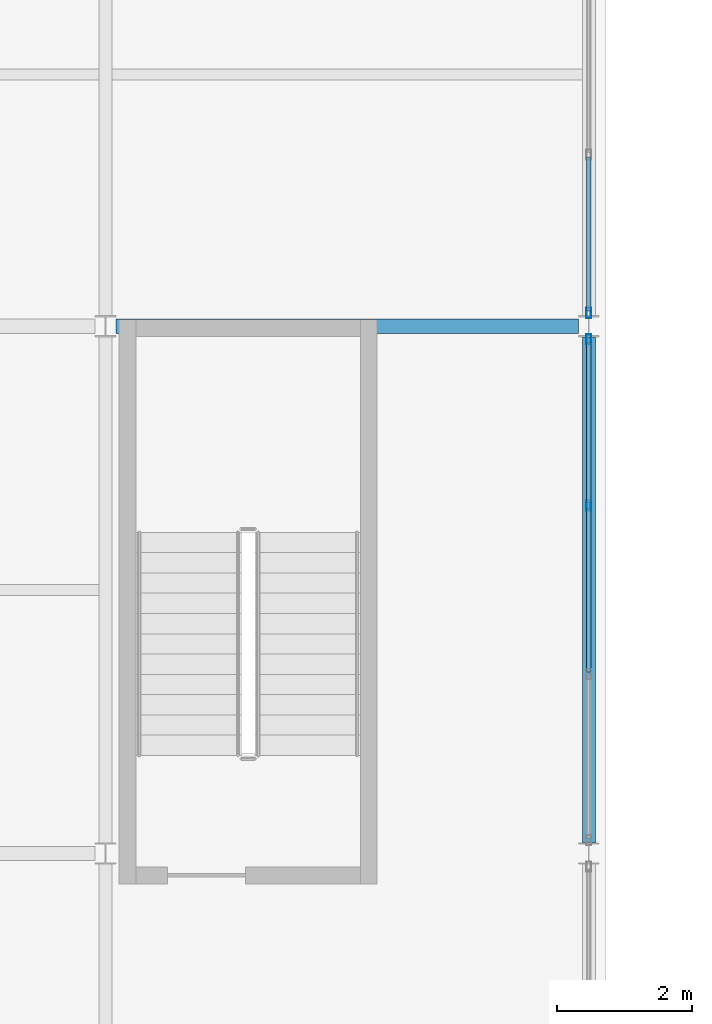
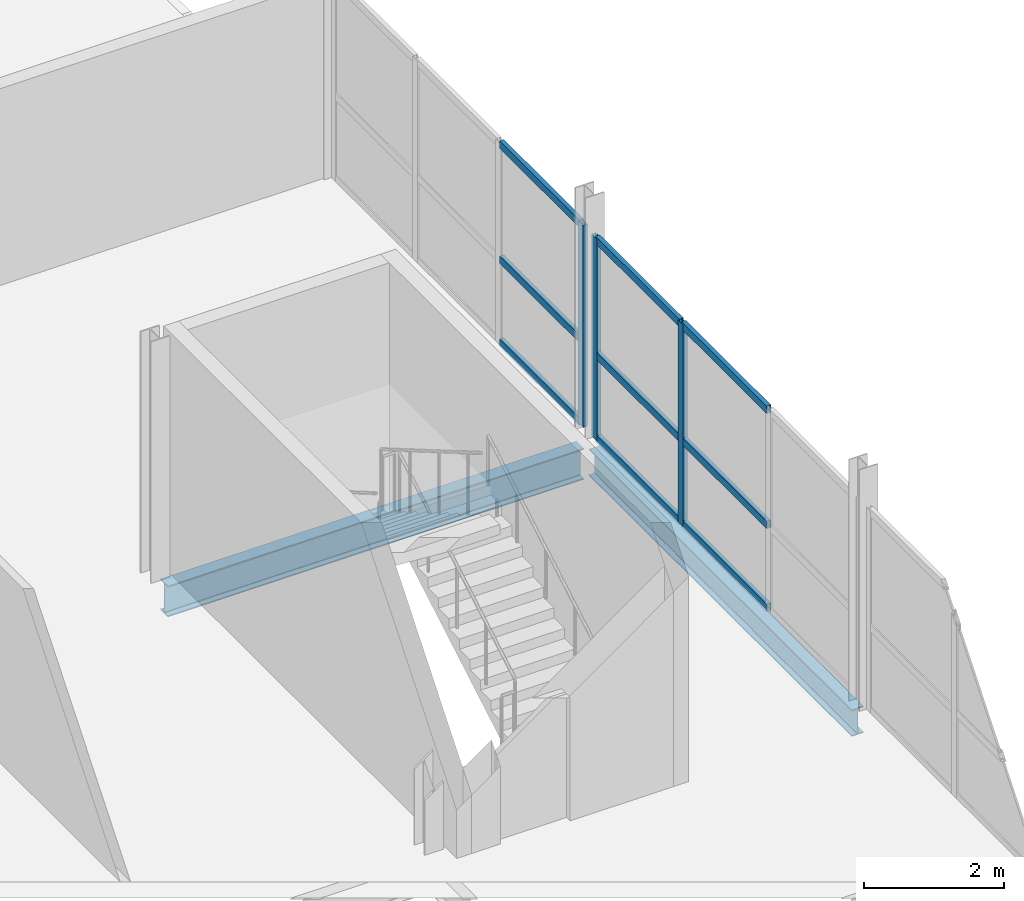
# One storey, part 11 of 65: 12 members, 2 beams, 2 elements without a shape of their own.
"""IFC4 building model written with IfcOpenShell, lengths in metres."""

from ifc_helpers import new_model, si_unit, direction, frame, origin, origin_2d, place, context, subcontext, project, spatial, hollow_rectangle, i_section, extrude, material, layer, layer_set, material_profile, profile_set, type_object, element, aggregate, save


model = new_model("IFC4")

# Units and contexts
model_context = context("Model", 3, precision=1e-05, world=origin(), true_north=direction((0.0, 1.0)))
body_context = subcontext(model_context, "Body", "Model", "MODEL_VIEW")
ifc_project = project(units=[si_unit("LENGTHUNIT", "METRE"), si_unit("AREAUNIT", "SQUARE_METRE"), si_unit("VOLUMEUNIT", "CUBIC_METRE"), si_unit("PLANEANGLEUNIT", "RADIAN"), si_unit("MASSUNIT", "GRAM", prefix="KILO")], contexts=[model_context])

# Site, building, storey
site_placement = place(None, origin())
site = spatial("IfcSite", under=ifc_project, at=site_placement, CompositionType="ELEMENT")
building_placement = place(site_placement, origin())
building = spatial("IfcBuilding", under=site, at=building_placement, Name="Quillay Park Conservatory", CompositionType="ELEMENT")
storey_placement = place(building_placement, frame((0.0, 0.0, 14.10009765625)))
storey = spatial("IfcBuildingStorey", under=building, at=storey_placement, Name="L03", CompositionType="ELEMENT", Elevation=14.10009765625)

# Curtain wall, members
ifc_material_1 = material(Name="Thermally Broken Anodised Aluminium 6063-T6", Category="aluminium")
ifc_layer = layer(ifc_material_1, 0.1650390625)
ifc_layer_set = layer_set([ifc_layer], Name="UNITISED CURTAIN WALL PODIUM (Thermally Broken Anodised Aluminium 6063-T6)")
curtain_wall_type = type_object("IfcCurtainWallType", Name="UNITISED CURTAIN WALL PODIUM", PredefinedType="USERDEFINED", material=ifc_layer_set)
curtain_wall_1_placement = place(storey_placement, origin())
curtain_wall_1 = element("IfcCurtainWall", 1, at=curtain_wall_1_placement, inside=storey, type_object=curtain_wall_type, Name="L03 Unitised Curtain Wall 213", ObjectType="UNITISED CURTAIN WALL", PredefinedType="USERDEFINED")
ifc_material_2 = material(Name="Thermally Broken Anodised Aluminium 6063-T6", Category="aluminium")
ifc_material_profile_1 = material_profile(ifc_material_2, hollow_rectangle(XDim=0.070068359375, YDim=0.14990234375, WallThickness=0.00341796875, at=origin_2d()), Name="AL70x150x3.5")
ifc_profile_set_1 = profile_set([ifc_material_profile_1], Name="Thermally Broken Anodised Aluminium 6063-T6")
member_type_1 = type_object("IfcMemberType", Name="CURTAIN WALL MULLION 70 X150", PredefinedType="MULLION", material=ifc_profile_set_1)
member_1_placement = place(storey_placement, frame((22.14990234375, 46.60498046875, 0.0), z_axis=(0.0, 0.0, 1.0), x_axis=(1.0, 0.0, 0.0)))
member_1 = element("IfcMember", 2, at=member_1_placement, type_object=member_type_1, Name="CW-P1 mullion 1", PredefinedType="MULLION", context=body_context, shape_type="SweptSolid", body=[
    extrude(hollow_rectangle(XDim=0.070068359375, YDim=0.14990234375, WallThickness=0.00341796875, at=origin_2d()), origin(), (0.0, 0.0, 1.0), 3.513916015625),
])
member_2_placement = place(storey_placement, frame((22.14990234375, 44.146728515625, 0.0), z_axis=(0.0, 0.0, 1.0), x_axis=(1.0, 0.0, 0.0)))
member_2 = element("IfcMember", 3, at=member_2_placement, type_object=member_type_1, Name="CW-P1 mullion 2", PredefinedType="MULLION", context=body_context, shape_type="SweptSolid", body=[
    extrude(hollow_rectangle(XDim=0.070068359375, YDim=0.14990234375, WallThickness=0.00341796875, at=origin_2d()), origin(), (0.0, 0.0, 1.0), 3.513916015625),
])

# Curtain wall, member
curtain_wall_2_placement = place(storey_placement, origin())
curtain_wall_2 = element("IfcCurtainWall", 4, at=curtain_wall_2_placement, inside=storey, type_object=curtain_wall_type, Name="L03 Unitised Curtain Wall 214", ObjectType="UNITISED CURTAIN WALL", PredefinedType="USERDEFINED")
member_3_placement = place(storey_placement, frame((22.14990234375, 46.9951171875, 0.0), z_axis=(0.0, 0.0, 1.0), x_axis=(1.0, 0.0, 0.0)))
member_3 = element("IfcMember", 5, at=member_3_placement, type_object=member_type_1, Name="CW-P1 mullion 4", PredefinedType="MULLION", context=body_context, shape_type="SweptSolid", body=[
    extrude(hollow_rectangle(XDim=0.070068359375, YDim=0.14990234375, WallThickness=0.00341796875, at=origin_2d()), origin(), (0.0, 0.0, 1.0), 3.513916015625),
])

# Member
ifc_material_3 = material(Name="Thermally Broken Anodised Aluminium 6063-T6", Category="aluminium")
ifc_material_profile_2 = material_profile(ifc_material_3, hollow_rectangle(XDim=0.070068359375, YDim=0.1298828125, WallThickness=0.003173828125, at=origin_2d()), Name="AL70x130x3.2")
ifc_profile_set_2 = profile_set([ifc_material_profile_2], Name="Thermally Broken Anodised Aluminium 6063-T6")
member_type_2 = type_object("IfcMemberType", Name="CURTAIN WALL TRANSOM 70 X130", PredefinedType="USERDEFINED", material=ifc_profile_set_2)
member_4_placement = place(storey_placement, frame((22.14990234375, 46.570068359375, 0.034912109375), z_axis=(0.0, -1.0, 0.0), x_axis=(1.0, 0.0, 0.0)))
member_4 = element("IfcMember", 6, at=member_4_placement, type_object=member_type_2, Name="CW-P1 transom 1.1", ObjectType="TRANSOM", PredefinedType="USERDEFINED", context=body_context, shape_type="SweptSolid", body=[
    extrude(hollow_rectangle(XDim=0.070068359375, YDim=0.1298828125, WallThickness=0.003173828125, at=origin_2d()), origin(), (0.0, 0.0, 1.0), 2.388427734375),
])

member_5_placement = place(storey_placement, frame((22.14990234375, 46.570068359375, 1.475830078125), z_axis=(0.0, -1.0, 0.0), x_axis=(1.0, 0.0, 0.0)))
member_5 = element("IfcMember", 7, at=member_5_placement, type_object=member_type_2, Name="CW-P1 transom 1.2", ObjectType="TRANSOM", PredefinedType="USERDEFINED", context=body_context, shape_type="SweptSolid", body=[
    extrude(hollow_rectangle(XDim=0.070068359375, YDim=0.1298828125, WallThickness=0.003173828125, at=origin_2d()), origin(), (0.0, 0.0, 1.0), 2.388427734375),
])

member_6_placement = place(storey_placement, frame((22.14990234375, 46.570068359375, 3.47900390625), z_axis=(0.0, -1.0, 0.0), x_axis=(1.0, 0.0, 0.0)))
member_6 = element("IfcMember", 8, at=member_6_placement, type_object=member_type_2, Name="CW-P1 transom 1.3", ObjectType="TRANSOM", PredefinedType="USERDEFINED", context=body_context, shape_type="SweptSolid", body=[
    extrude(hollow_rectangle(XDim=0.070068359375, YDim=0.1298828125, WallThickness=0.003173828125, at=origin_2d()), origin(), (0.0, 0.0, 1.0), 2.388427734375),
])

member_7_placement = place(storey_placement, frame((22.14990234375, 44.111572265625, 0.034912109375), z_axis=(0.0, -1.0, 0.0), x_axis=(1.0, 0.0, 0.0)))
member_7 = element("IfcMember", 9, at=member_7_placement, type_object=member_type_2, Name="CW-P1 transom 2.1", ObjectType="TRANSOM", PredefinedType="USERDEFINED", context=body_context, shape_type="SweptSolid", body=[
    extrude(hollow_rectangle(XDim=0.070068359375, YDim=0.1298828125, WallThickness=0.003173828125, at=origin_2d()), origin(), (0.0, 0.0, 1.0), 2.42333984375),
])

member_8_placement = place(storey_placement, frame((22.14990234375, 44.111572265625, 1.475830078125), z_axis=(0.0, -1.0, 0.0), x_axis=(1.0, 0.0, 0.0)))
member_8 = element("IfcMember", 10, at=member_8_placement, type_object=member_type_2, Name="CW-P1 transom 2.2", ObjectType="TRANSOM", PredefinedType="USERDEFINED", context=body_context, shape_type="SweptSolid", body=[
    extrude(hollow_rectangle(XDim=0.070068359375, YDim=0.1298828125, WallThickness=0.003173828125, at=origin_2d()), origin(), (0.0, 0.0, 1.0), 2.42333984375),
])

member_9_placement = place(storey_placement, frame((22.14990234375, 44.111572265625, 3.47900390625), z_axis=(0.0, -1.0, 0.0), x_axis=(1.0, 0.0, 0.0)))
member_9 = element("IfcMember", 11, at=member_9_placement, type_object=member_type_2, Name="CW-P1 transom 2.3", ObjectType="TRANSOM", PredefinedType="USERDEFINED", context=body_context, shape_type="SweptSolid", body=[
    extrude(hollow_rectangle(XDim=0.070068359375, YDim=0.1298828125, WallThickness=0.003173828125, at=origin_2d()), origin(), (0.0, 0.0, 1.0), 2.42333984375),
])

aggregate(curtain_wall_1, [member_1, member_2, member_4, member_5, member_6, member_7, member_8, member_9])

member_10_placement = place(storey_placement, frame((22.14990234375, 49.3017578125, 0.034912109375), z_axis=(0.0, -1.0, 0.0), x_axis=(1.0, 0.0, 0.0)))
member_10 = element("IfcMember", 12, at=member_10_placement, type_object=member_type_2, Name="CW-P1 transom 3.1", ObjectType="TRANSOM", PredefinedType="USERDEFINED", context=body_context, shape_type="SweptSolid", body=[
    extrude(hollow_rectangle(XDim=0.070068359375, YDim=0.1298828125, WallThickness=0.003173828125, at=origin_2d()), origin(), (0.0, 0.0, 1.0), 2.271728515625),
])

member_11_placement = place(storey_placement, frame((22.14990234375, 49.3017578125, 1.475830078125), z_axis=(0.0, -1.0, 0.0), x_axis=(1.0, 0.0, 0.0)))
member_11 = element("IfcMember", 13, at=member_11_placement, type_object=member_type_2, Name="CW-P1 transom 3.2", ObjectType="TRANSOM", PredefinedType="USERDEFINED", context=body_context, shape_type="SweptSolid", body=[
    extrude(hollow_rectangle(XDim=0.070068359375, YDim=0.1298828125, WallThickness=0.003173828125, at=origin_2d()), origin(), (0.0, 0.0, 1.0), 2.271728515625),
])

member_12_placement = place(storey_placement, frame((22.14990234375, 49.3017578125, 3.47900390625), z_axis=(0.0, -1.0, 0.0), x_axis=(1.0, 0.0, 0.0)))
member_12 = element("IfcMember", 14, at=member_12_placement, type_object=member_type_2, Name="CW-P1 transom 3.3", ObjectType="TRANSOM", PredefinedType="USERDEFINED", context=body_context, shape_type="SweptSolid", body=[
    extrude(hollow_rectangle(XDim=0.070068359375, YDim=0.1298828125, WallThickness=0.003173828125, at=origin_2d()), origin(), (0.0, 0.0, 1.0), 2.271728515625),
])

aggregate(curtain_wall_2, [member_3, member_10, member_11, member_12])

# Beams
ifc_material_4 = material(Name="Steel ASTM A992 Grade 50", Category="steel")
ifc_material_profile_3 = material_profile(ifc_material_4, i_section(OverallWidth=0.19189453125, OverallDepth=0.462890625, WebThickness=0.010498046875, FlangeThickness=0.017578125, FilletRadius=0.012939453125, at=origin_2d()), Name="W460x89")
ifc_profile_set_3 = profile_set([ifc_material_profile_3], Name="Steel ASTM A992 Grade 50")
beam_type_1 = type_object("IfcBeamType", Name="PRIMARY FLOOR GIRDER W460 X89", PredefinedType="BEAM", material=ifc_profile_set_3)
beam_1_placement = place(storey_placement, frame((22.14990234375, 39.156982421875, -0.41650390625), z_axis=(0.0, 1.0, 0.0), x_axis=(-1.0, 0.0, 0.0)))
element("IfcBeam", 15, at=beam_1_placement, inside=storey, type_object=beam_type_1, Name="L03 beam BM-V3Y-1449", PredefinedType="BEAM", context=body_context, shape_type="SweptSolid", body=[
    extrude(i_section(OverallWidth=0.19189453125, OverallDepth=0.462890625, WebThickness=0.010498046875, FlangeThickness=0.017578125, FilletRadius=0.012939453125, at=origin_2d()), origin(), (0.0, 0.0, 1.0), 7.486083984375),
])
ifc_material_5 = material(Name="Steel ASTM A992 Grade 50", Category="steel")
ifc_material_profile_4 = material_profile(ifc_material_5, i_section(OverallWidth=0.2109375, OverallDepth=0.5390625, WebThickness=0.01171875, FlangeThickness=0.018798828125, FilletRadius=0.013916015625, at=origin_2d()), Name="W530x109")
ifc_profile_set_4 = profile_set([ifc_material_profile_4], Name="Steel ASTM A992 Grade 50")
beam_type_2 = type_object("IfcBeamType", Name="PRIMARY FLOOR GIRDER W530 X109", PredefinedType="BEAM", material=ifc_profile_set_4)
beam_2_placement = place(storey_placement, frame((15.153564453125, 46.800048828125, -0.45458984375), z_axis=(1.0, 0.0, 0.0), x_axis=(0.0, 1.0, 0.0)))
element("IfcBeam", 16, at=beam_2_placement, inside=storey, type_object=beam_type_2, Name="L03 beam BM-V3X-1419", PredefinedType="BEAM", context=body_context, shape_type="SweptSolid", body=[
    extrude(i_section(OverallWidth=0.2109375, OverallDepth=0.5390625, WebThickness=0.01171875, FlangeThickness=0.018798828125, FilletRadius=0.013916015625, at=origin_2d()), origin(), (0.0, 0.0, 1.0), 6.843017578125),
])

save(model, "model.ifc")
